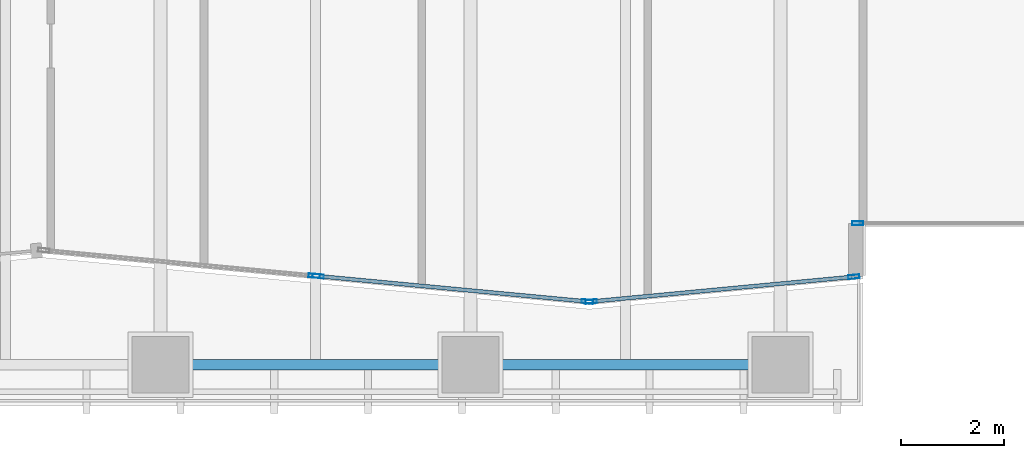
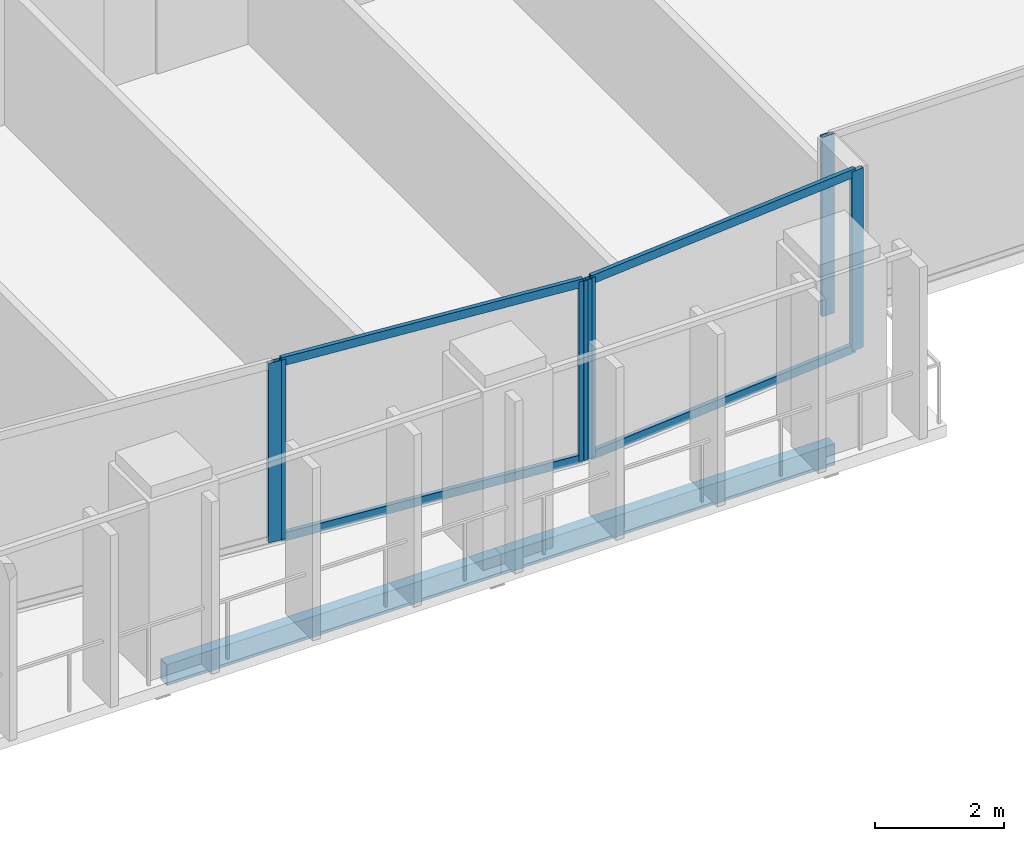
# One storey, part 3 of 31: 10 members, 2 beams, 4 elements without a shape of their own.
"""IFC4 building model written with IfcOpenShell, lengths in metres."""

from ifc_helpers import new_model, si_unit, direction, frame, origin, origin_2d, place, context, subcontext, project, spatial, hollow_rectangle, extrude, material, layer, layer_set, material_profile, profile_set, type_object, element, aggregate, save


model = new_model("IFC4")

# Units and contexts
model_context = context("Model", 3, precision=1e-05, world=origin(), true_north=direction((0.0, 1.0)))
body_context = subcontext(model_context, "Body", "Model", "MODEL_VIEW")
ifc_project = project(units=[si_unit("LENGTHUNIT", "METRE"), si_unit("AREAUNIT", "SQUARE_METRE"), si_unit("VOLUMEUNIT", "CUBIC_METRE"), si_unit("PLANEANGLEUNIT", "RADIAN"), si_unit("MASSUNIT", "GRAM", prefix="KILO")], contexts=[model_context])

# Site, building, storey
site_placement = place(None, origin())
site = spatial("IfcSite", under=ifc_project, at=site_placement, CompositionType="ELEMENT")
building_placement = place(site_placement, origin())
building = spatial("IfcBuilding", under=site, at=building_placement, Name="Tanjung Sevakor Pilgrim Tower", CompositionType="ELEMENT")
storey_placement = place(building_placement, frame((0.0, 0.0, 58.739990234375)))
storey = spatial("IfcBuildingStorey", under=building, at=storey_placement, Name="L16", CompositionType="ELEMENT", Elevation=58.739990234375)

# Beams
ifc_material_1 = material(Name="Steel S355J2", Category="steel")
ifc_material_profile_1 = material_profile(ifc_material_1, hollow_rectangle(XDim=0.199951171875, YDim=0.39990234375, WallThickness=0.01611328125, at=origin_2d()))
ifc_profile_set_1 = profile_set([ifc_material_profile_1], Name="Steel S355J2")
beam_type = type_object("IfcBeamType", Name="BM-B-SP2-RHS_400x200x16", PredefinedType="SPANDREL", material=ifc_profile_set_1)
for number, where, z_axis, x_axis, name in (
    (1, (30.0, 8.39990234375, -0.419921875), (1.0, 0.0, 0.0), (0.0, 1.0, 0.0), "L16 Spandrel MAIN S-03"),
    (2, (36.0, 8.39990234375, -0.419921875), (1.0, 0.0, 0.0), (0.0, 1.0, 0.0), "L16 Spandrel MAIN S-05"),
):
    element("IfcBeam", number, at=place(storey_placement, frame(where, z_axis=z_axis, x_axis=x_axis)), inside=storey, type_object=beam_type, Name=name, PredefinedType="SPANDREL", context=body_context, shape_type="SweptSolid", body=[
        extrude(hollow_rectangle(XDim=0.199951171875, YDim=0.39990234375, WallThickness=0.01611328125, at=origin_2d()), origin(), (0.0, 0.0, 1.0), 6.0),
    ])

# Curtain wall, member
ifc_material_2 = material(Name="Aluminium 6063-T6 and Low-E Glass", Category="aluminium")
ifc_layer_1 = layer(ifc_material_2, 0.199951171875)
ifc_layer_set_1 = layer_set([ifc_layer_1], Name="CW-SYS-PRAY")
curtain_wall_type_1 = type_object("IfcCurtainWallType", Name="CW-SYS-PRAY", PredefinedType="NOTDEFINED", material=ifc_layer_set_1)
curtain_wall_1_placement = place(storey_placement, origin())
curtain_wall_1 = element("IfcCurtainWall", 3, at=curtain_wall_1_placement, inside=storey, type_object=curtain_wall_type_1, Name="L16 Curtain Wall CW-PRY-L16-3", PredefinedType="NOTDEFINED")
ifc_material_3 = material(Name="Aluminium 6063-T6", Category="aluminium")
ifc_material_profile_2 = material_profile(ifc_material_3, hollow_rectangle(XDim=0.074951171875, YDim=0.219970703125, WallThickness=0.0048828125, at=origin_2d()))
ifc_profile_set_2 = profile_set([ifc_material_profile_2], Name="Aluminium 6063-T6")
member_type_1 = type_object("IfcMemberType", Name="TYPE-CWM-2", PredefinedType="MULLION", material=ifc_profile_set_2)
member_1_placement = place(storey_placement, frame((32.975830078125, 10.122802734375, 0.0), z_axis=(0.0, 0.0, 1.0), x_axis=(0.09391593637, 0.995580130826, 0.0)))
member_1 = element("IfcMember", 4, at=member_1_placement, type_object=member_type_1, Name="CW-PRY mullion 2", PredefinedType="MULLION", context=body_context, shape_type="SweptSolid", body=[
    extrude(hollow_rectangle(XDim=0.074951171875, YDim=0.219970703125, WallThickness=0.0048828125, at=origin_2d()), origin(), (0.0, 0.0, 1.0), 3.409912109375),
])
aggregate(curtain_wall_1, [member_1])

# Curtain wall, members
curtain_wall_2_placement = place(storey_placement, origin())
curtain_wall_2 = element("IfcCurtainWall", 5, at=curtain_wall_2_placement, inside=storey, type_object=curtain_wall_type_1, Name="L16 Curtain Wall CW-PRY-L16-4", PredefinedType="NOTDEFINED")
member_2_placement = place(storey_placement, frame((33.050537109375, 10.115966796875, 0.0), z_axis=(0.0, 0.0, 1.0), x_axis=(0.093929285798, 0.995578871446, 0.0)))
member_2 = element("IfcMember", 6, at=member_2_placement, type_object=member_type_1, Name="CW-PRY mullion 1", PredefinedType="MULLION", context=body_context, shape_type="SweptSolid", body=[
    extrude(hollow_rectangle(XDim=0.074951171875, YDim=0.219970703125, WallThickness=0.0048828125, at=origin_2d()), origin(), (0.0, 0.0, 1.0), 3.409912109375),
])
member_3_placement = place(storey_placement, frame((38.2626953125, 9.6240234375, 0.0), z_axis=(0.0, 0.0, 1.0), x_axis=(0.093929285798, 0.995578871446, 0.0)))
member_3 = element("IfcMember", 7, at=member_3_placement, type_object=member_type_1, Name="CW-PRY mullion 2", PredefinedType="MULLION", context=body_context, shape_type="SweptSolid", body=[
    extrude(hollow_rectangle(XDim=0.074951171875, YDim=0.219970703125, WallThickness=0.0048828125, at=origin_2d()), origin(), (0.0, 0.0, 1.0), 3.409912109375),
])

curtain_wall_3_placement = place(storey_placement, origin())
curtain_wall_3 = element("IfcCurtainWall", 8, at=curtain_wall_3_placement, inside=storey, type_object=curtain_wall_type_1, Name="L16 Curtain Wall CW-PRY-L16-5", PredefinedType="NOTDEFINED")
member_4_placement = place(storey_placement, frame((38.33740234375, 9.6240234375, 0.0), z_axis=(0.0, 0.0, 1.0), x_axis=(-0.09392403791, 0.995579366551, 0.0)))
member_4 = element("IfcMember", 9, at=member_4_placement, type_object=member_type_1, Name="CW-PRY mullion 1", PredefinedType="MULLION", context=body_context, shape_type="SweptSolid", body=[
    extrude(hollow_rectangle(XDim=0.074951171875, YDim=0.219970703125, WallThickness=0.0048828125, at=origin_2d()), origin(), (0.0, 0.0, 1.0), 3.409912109375),
])
member_5_placement = place(storey_placement, frame((43.422607421875, 10.103759765625, 0.0), z_axis=(0.0, 0.0, 1.0), x_axis=(-0.09392403791, 0.995579366551, 0.0)))
member_5 = element("IfcMember", 10, at=member_5_placement, type_object=member_type_1, Name="CW-PRY mullion 2", PredefinedType="MULLION", context=body_context, shape_type="SweptSolid", body=[
    extrude(hollow_rectangle(XDim=0.074951171875, YDim=0.219970703125, WallThickness=0.0048828125, at=origin_2d()), origin(), (0.0, 0.0, 1.0), 3.409912109375),
])

# Curtain wall, member
ifc_material_4 = material(Name="Aluminium 6063-T6 and Low-E Glass", Category="aluminium")
ifc_layer_2 = layer(ifc_material_4, 0.179931640625)
ifc_layer_set_2 = layer_set([ifc_layer_2], Name="CW-SYS-CLEFT")
curtain_wall_type_2 = type_object("IfcCurtainWallType", Name="CW-SYS-CLEFT", PredefinedType="NOTDEFINED", material=ifc_layer_set_2)
curtain_wall_4_placement = place(storey_placement, origin())
curtain_wall_4 = element("IfcCurtainWall", 11, at=curtain_wall_4_placement, inside=storey, type_object=curtain_wall_type_2, Name="L16 Curtain Wall CW-CLF-L16-7", PredefinedType="NOTDEFINED")
member_6_placement = place(storey_placement, frame((43.49755859375, 11.139892578125, 0.0), z_axis=(0.0, 0.0, 1.0), x_axis=(0.0, 1.0, 0.0)))
member_6 = element("IfcMember", 12, at=member_6_placement, type_object=member_type_1, Name="CW-CLF mullion 1", PredefinedType="MULLION", context=body_context, shape_type="SweptSolid", body=[
    extrude(hollow_rectangle(XDim=0.074951171875, YDim=0.219970703125, WallThickness=0.0048828125, at=origin_2d()), origin(), (0.0, 0.0, 1.0), 3.409912109375),
])
aggregate(curtain_wall_4, [member_6])

# Member
ifc_material_5 = material(Name="Aluminium 6063-T6", Category="aluminium")
ifc_material_profile_3 = material_profile(ifc_material_5, hollow_rectangle(XDim=0.074951171875, YDim=0.159912109375, WallThickness=0.00439453125, at=origin_2d()))
ifc_profile_set_3 = profile_set([ifc_material_profile_3], Name="Aluminium 6063-T6")
member_type_2 = type_object("IfcMemberType", Name="TYPE-CWT-2", PredefinedType="USERDEFINED", material=ifc_profile_set_3)
member_7_placement = place(storey_placement, frame((33.087646484375, 10.1123046875, 0.03759765625), z_axis=(0.995580754641, -0.093909323226, 0.0), x_axis=(0.093909323226, 0.995580754641, 0.0)))
member_7 = element("IfcMember", 13, at=member_7_placement, type_object=member_type_2, Name="CW-PRY transom 1.1", ObjectType="TRANSOM", PredefinedType="USERDEFINED", context=body_context, shape_type="SweptSolid", body=[
    extrude(hollow_rectangle(XDim=0.074951171875, YDim=0.159912109375, WallThickness=0.00439453125, at=origin_2d()), origin(), (0.0, 0.0, 1.0), 5.160400390625),
])

member_8_placement = place(storey_placement, frame((33.087646484375, 10.1123046875, 3.37255859375), z_axis=(0.995580754641, -0.093909323226, 0.0), x_axis=(0.093909323226, 0.995580754641, 0.0)))
member_8 = element("IfcMember", 14, at=member_8_placement, type_object=member_type_2, Name="CW-PRY transom 1.2", ObjectType="TRANSOM", PredefinedType="USERDEFINED", context=body_context, shape_type="SweptSolid", body=[
    extrude(hollow_rectangle(XDim=0.074951171875, YDim=0.159912109375, WallThickness=0.00439453125, at=origin_2d()), origin(), (0.0, 0.0, 1.0), 5.160400390625),
])

aggregate(curtain_wall_2, [member_2, member_3, member_7, member_8])

member_9_placement = place(storey_placement, frame((38.374755859375, 9.627685546875, 0.03759765625), z_axis=(0.9955801018, 0.093916244072, 0.0), x_axis=(-0.093916244072, 0.9955801018, 0.0)))
member_9 = element("IfcMember", 15, at=member_9_placement, type_object=member_type_2, Name="CW-PRY transom 1.1", ObjectType="TRANSOM", PredefinedType="USERDEFINED", context=body_context, shape_type="SweptSolid", body=[
    extrude(hollow_rectangle(XDim=0.074951171875, YDim=0.159912109375, WallThickness=0.00439453125, at=origin_2d()), origin(), (0.0, 0.0, 1.0), 5.03271484375),
])

member_10_placement = place(storey_placement, frame((38.374755859375, 9.627685546875, 3.37255859375), z_axis=(0.9955801018, 0.093916244072, 0.0), x_axis=(-0.093916244072, 0.9955801018, 0.0)))
member_10 = element("IfcMember", 16, at=member_10_placement, type_object=member_type_2, Name="CW-PRY transom 1.2", ObjectType="TRANSOM", PredefinedType="USERDEFINED", context=body_context, shape_type="SweptSolid", body=[
    extrude(hollow_rectangle(XDim=0.074951171875, YDim=0.159912109375, WallThickness=0.00439453125, at=origin_2d()), origin(), (0.0, 0.0, 1.0), 5.03271484375),
])

aggregate(curtain_wall_3, [member_4, member_5, member_9, member_10])

save(model, "model.ifc")
